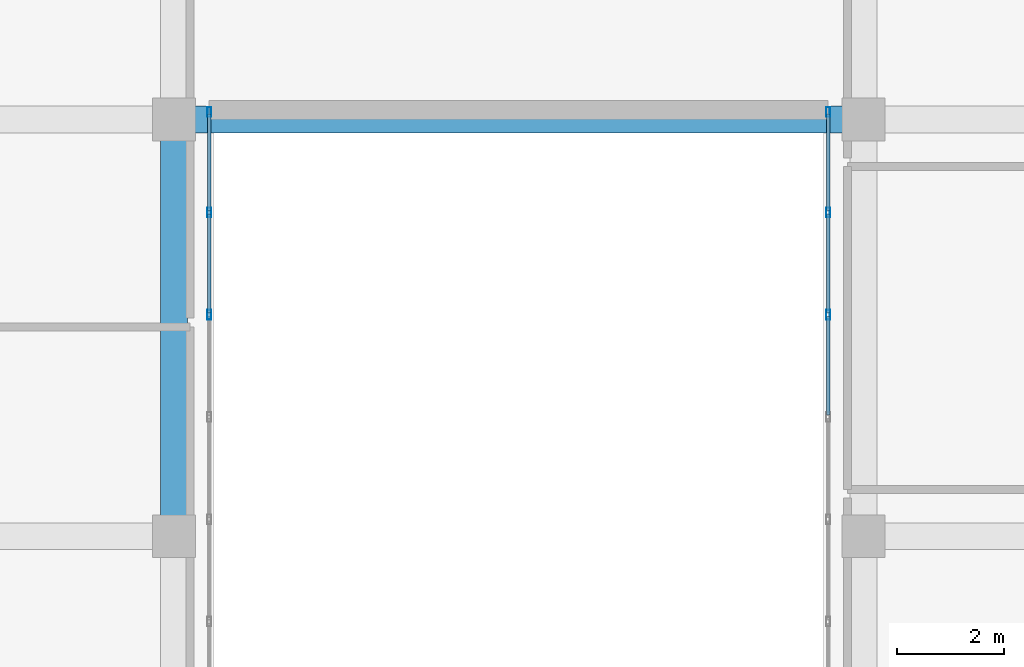
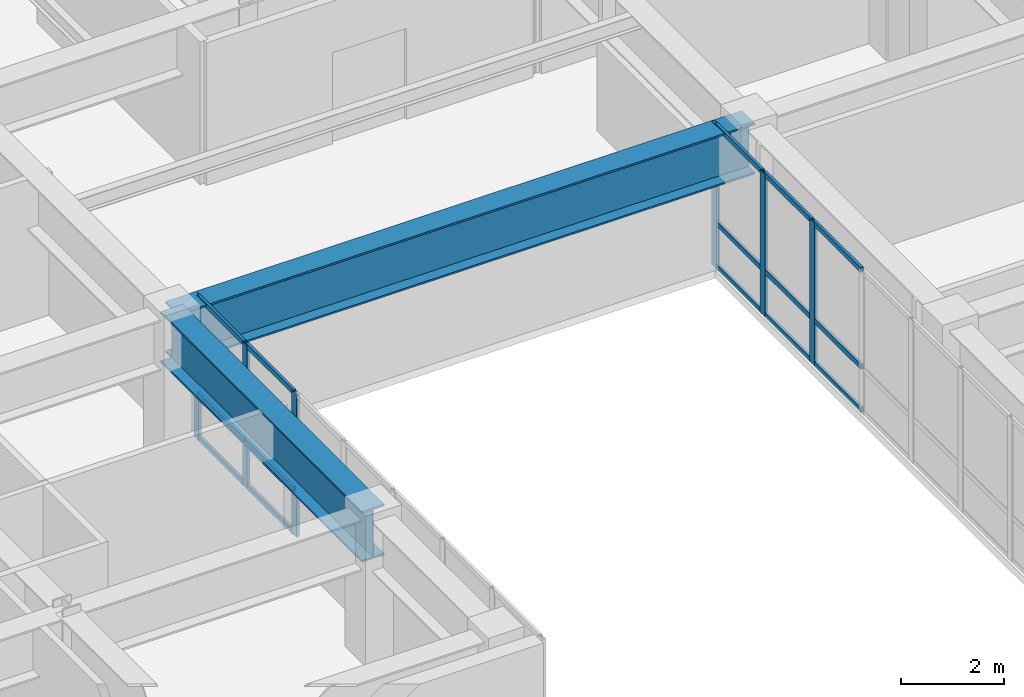
# One storey, part 4 of 14: 21 members, 2 beams, 2 elements without a shape of their own.
"""IFC4 building model written with IfcOpenShell, lengths in metres."""

from ifc_helpers import new_model, si_unit, direction, frame, origin, origin_2d, place, context, subcontext, project, spatial, hollow_rectangle, i_section, extrude, source, transform, mapped, material, layer, layer_set, material_profile, profile_set, type_object, type_shapes, element, aggregate, save


model = new_model("IFC4")

# Units and contexts
model_context = context("Model", 3, precision=1e-05, world=origin(), true_north=direction((0.0, 1.0)))
body_context = subcontext(model_context, "Body", "Model", "MODEL_VIEW")
ifc_project = project(units=[si_unit("LENGTHUNIT", "METRE"), si_unit("AREAUNIT", "SQUARE_METRE"), si_unit("VOLUMEUNIT", "CUBIC_METRE"), si_unit("PLANEANGLEUNIT", "RADIAN"), si_unit("MASSUNIT", "GRAM", prefix="KILO")], contexts=[model_context])

# Site, building, storey
site_placement = place(None, origin())
site = spatial("IfcSite", under=ifc_project, at=site_placement, CompositionType="ELEMENT")
building_placement = place(site_placement, origin())
building = spatial("IfcBuilding", under=site, at=building_placement, Name="Tolvann Quenvar Hotel", CompositionType="ELEMENT")
storey_placement = place(building_placement, frame((0.0, 0.0, 150.60009765625)))
storey = spatial("IfcBuildingStorey", under=building, at=storey_placement, Name="L39", CompositionType="ELEMENT", Elevation=150.60009765625)

# Beams
ifc_material_1 = material(Name="Steel Grade 350", Category="steel")
ifc_material_profile_1 = material_profile(ifc_material_1, i_section(OverallWidth=0.5, OverallDepth=1.199951171875, WebThickness=0.01611328125, FlangeThickness=0.0400390625, at=origin_2d()), Name="1200WB455")
ifc_profile_set_1 = profile_set([ifc_material_profile_1], Name="Steel Grade 350")
beam_type = type_object("IfcBeamType", Name="BM_TG_1200WB455", PredefinedType="USERDEFINED", material=ifc_profile_set_1)
shared_shape_1 = source(origin(), body_context, "Body", "SweptSolid", [
    extrude(i_section(OverallWidth=0.5, OverallDepth=1.199951171875, WebThickness=0.01611328125, FlangeThickness=0.0400390625, at=origin_2d()), origin(), (0.0, 0.0, 1.0), 7.800048828125),
])
beam_1_placement = place(storey_placement, frame((22.050048828125, 8.199951171875, 2.77001953125), z_axis=(0.0, 1.0, 0.0), x_axis=(-1.0, 0.0, 0.0)))
element("IfcBeam", 1, at=beam_1_placement, inside=storey, type_object=beam_type, Name="BM-L39-NS-E3-E4", ObjectType="TRANSFER GIRDER", PredefinedType="USERDEFINED", context=body_context, shape_type="MappedRepresentation", body=[
    mapped(shared_shape_1, transform((0.0, 0.0, 0.0), x_axis=(1.0, 0.0, 0.0), y_axis=(0.0, 1.0, 0.0), z_axis=(0.0, 0.0, 1.0), scale=1.0)),
])
shared_shape_2 = source(origin(), body_context, "Body", "SweptSolid", [
    extrude(i_section(OverallWidth=0.5, OverallDepth=1.199951171875, WebThickness=0.01611328125, FlangeThickness=0.0400390625, at=origin_2d()), origin(), (0.0, 0.0, 1.0), 12.89990234375),
])
type_shapes(beam_type, [shared_shape_1, shared_shape_2])
beam_2_placement = place(storey_placement, frame((22.050048828125, 16.0, 2.77001953125), z_axis=(1.0, 0.0, 0.0), x_axis=(0.0, 1.0, 0.0)))
element("IfcBeam", 2, at=beam_2_placement, inside=storey, type_object=beam_type, Name="BM-L39-EW-4-E4-F4", ObjectType="TRANSFER GIRDER", PredefinedType="USERDEFINED", context=body_context, shape_type="MappedRepresentation", body=[
    mapped(shared_shape_2, transform((0.0, 0.0, 0.0), x_axis=(1.0, 0.0, 0.0), y_axis=(0.0, 1.0, 0.0), z_axis=(0.0, 0.0, 1.0), scale=1.0)),
])

# Curtain wall, members
ifc_material_2 = material(Name="Thermally broken anodised architectural aluminium 6063-T6 and laminated low-E glass", Category="aluminium")
ifc_layer = layer(ifc_material_2, 0.179931640625)
ifc_layer_set = layer_set([ifc_layer], Name="Thermally broken anodised architectural aluminium 6063-T6 and laminated low-E glass")
curtain_wall_type = type_object("IfcCurtainWallType", Name="CW_SYS_SLOT_03", PredefinedType="USERDEFINED", material=ifc_layer_set)
curtain_wall_1_placement = place(storey_placement, origin())
curtain_wall_1 = element("IfcCurtainWall", 3, at=curtain_wall_1_placement, inside=storey, type_object=curtain_wall_type, Name="Curtain Wall CW-SLOT-03 (CWR-L39-E05)", ObjectType="UNITISED CURTAIN WALL", PredefinedType="USERDEFINED")
ifc_material_3 = material(Name="Anodised architectural aluminium 6063-T6 framing", Category="aluminium")
ifc_material_profile_2 = material_profile(ifc_material_3, hollow_rectangle(XDim=0.070068359375, YDim=0.179931640625, WallThickness=0.00390625, at=origin_2d()), Name="180x70x4RHS")
ifc_profile_set_2 = profile_set([ifc_material_profile_2], Name="Anodised architectural aluminium 6063-T6 framing")
member_type_1 = type_object("IfcMemberType", Name="CW_MULL_180x70", PredefinedType="MULLION", material=ifc_profile_set_2)
shared_shape_3 = source(origin(), body_context, "Body", "SweptSolid", [
    extrude(hollow_rectangle(XDim=0.070068359375, YDim=0.179931640625, WallThickness=0.00390625, at=origin_2d()), origin(), (0.0, 0.0, 1.0), 3.369873046875),
])
type_shapes(member_type_1, [shared_shape_3])
member_1_placement = place(storey_placement, frame((22.7099609375, 12.346435546875, 0.0), z_axis=(0.0, 0.0, 1.0), x_axis=(-1.0, 0.0, 0.0)))
member_1 = element("IfcMember", 4, at=member_1_placement, type_object=member_type_1, Name="CW-SLOT-03 mullion 6", PredefinedType="MULLION", context=body_context, shape_type="MappedRepresentation", body=[
    mapped(shared_shape_3, transform((0.0, 0.0, 0.0), x_axis=(1.0, 0.0, 0.0), y_axis=(0.0, 1.0, 0.0), z_axis=(0.0, 0.0, 1.0), scale=1.0)),
])
member_2_placement = place(storey_placement, frame((22.7099609375, 14.2607421875, 0.0), z_axis=(0.0, 0.0, 1.0), x_axis=(-1.0, 0.0, 0.0)))
member_2 = element("IfcMember", 5, at=member_2_placement, type_object=member_type_1, Name="CW-SLOT-03 mullion 7", PredefinedType="MULLION", context=body_context, shape_type="MappedRepresentation", body=[
    mapped(shared_shape_3, transform((0.0, 0.0, 0.0), x_axis=(1.0, 0.0, 0.0), y_axis=(0.0, 1.0, 0.0), z_axis=(0.0, 0.0, 1.0), scale=1.0)),
])
member_3_placement = place(storey_placement, frame((22.7099609375, 16.139892578125, 0.0), z_axis=(0.0, 0.0, 1.0), x_axis=(-1.0, 0.0, 0.0)))
member_3 = element("IfcMember", 6, at=member_3_placement, type_object=member_type_1, Name="CW-SLOT-03 mullion 8", PredefinedType="MULLION", context=body_context, shape_type="MappedRepresentation", body=[
    mapped(shared_shape_3, transform((0.0, 0.0, 0.0), x_axis=(1.0, 0.0, 0.0), y_axis=(0.0, 1.0, 0.0), z_axis=(0.0, 0.0, 1.0), scale=1.0)),
])

curtain_wall_2_placement = place(storey_placement, origin())
curtain_wall_2 = element("IfcCurtainWall", 7, at=curtain_wall_2_placement, inside=storey, type_object=curtain_wall_type, Name="Curtain Wall CW-SLOT-03 (CWR-L39-E07)", ObjectType="UNITISED CURTAIN WALL", PredefinedType="USERDEFINED")
member_4_placement = place(storey_placement, frame((34.2900390625, 16.139892578125, 0.0), z_axis=(0.0, 0.0, 1.0), x_axis=(1.0, 0.0, 0.0)))
member_4 = element("IfcMember", 8, at=member_4_placement, type_object=member_type_1, Name="CW-SLOT-03 mullion 1", PredefinedType="MULLION", context=body_context, shape_type="MappedRepresentation", body=[
    mapped(shared_shape_3, transform((0.0, 0.0, 0.0), x_axis=(1.0, 0.0, 0.0), y_axis=(0.0, 1.0, 0.0), z_axis=(0.0, 0.0, 1.0), scale=1.0)),
])
member_5_placement = place(storey_placement, frame((34.2900390625, 14.2607421875, 0.0), z_axis=(0.0, 0.0, 1.0), x_axis=(1.0, 0.0, 0.0)))
member_5 = element("IfcMember", 9, at=member_5_placement, type_object=member_type_1, Name="CW-SLOT-03 mullion 2", PredefinedType="MULLION", context=body_context, shape_type="MappedRepresentation", body=[
    mapped(shared_shape_3, transform((0.0, 0.0, 0.0), x_axis=(1.0, 0.0, 0.0), y_axis=(0.0, 1.0, 0.0), z_axis=(0.0, 0.0, 1.0), scale=1.0)),
])
member_6_placement = place(storey_placement, frame((34.2900390625, 12.346435546875, 0.0), z_axis=(0.0, 0.0, 1.0), x_axis=(1.0, 0.0, 0.0)))
member_6 = element("IfcMember", 10, at=member_6_placement, type_object=member_type_1, Name="CW-SLOT-03 mullion 3", PredefinedType="MULLION", context=body_context, shape_type="MappedRepresentation", body=[
    mapped(shared_shape_3, transform((0.0, 0.0, 0.0), x_axis=(1.0, 0.0, 0.0), y_axis=(0.0, 1.0, 0.0), z_axis=(0.0, 0.0, 1.0), scale=1.0)),
])

# Member
ifc_material_profile_3 = material_profile(ifc_material_3, hollow_rectangle(XDim=0.06005859375, YDim=0.1201171875, WallThickness=0.00341796875, at=origin_2d()), Name="120x60x3.5RHS")
ifc_profile_set_3 = profile_set([ifc_material_profile_3], Name="Anodised architectural aluminium 6063-T6 framing")
member_type_2 = type_object("IfcMemberType", Name="CW_TRAN_120x60", PredefinedType="USERDEFINED", material=ifc_profile_set_3)
shared_shape_4 = source(origin(), body_context, "Body", "SweptSolid", [
    extrude(hollow_rectangle(XDim=0.06005859375, YDim=0.1201171875, WallThickness=0.00341796875, at=origin_2d()), origin(), (0.0, 0.0, 1.0), 1.809326171875),
])
member_7_placement = place(storey_placement, frame((22.7099609375, 14.295654296875, 0.02978515625), z_axis=(0.0, 1.0, 0.0), x_axis=(-1.0, 0.0, 0.0)))
member_7 = element("IfcMember", 11, at=member_7_placement, type_object=member_type_2, Name="CW-SLOT-03 transom 7.1", ObjectType="TRANSOM", PredefinedType="USERDEFINED", context=body_context, shape_type="MappedRepresentation", body=[
    mapped(shared_shape_4, transform((0.0, 0.0, 0.0), x_axis=(1.0, 0.0, 0.0), y_axis=(0.0, 1.0, 0.0), z_axis=(0.0, 0.0, 1.0), scale=1.0)),
])

member_8_placement = place(storey_placement, frame((22.7099609375, 14.295654296875, 1.0498046875), z_axis=(0.0, 1.0, 0.0), x_axis=(-1.0, 0.0, 0.0)))
member_8 = element("IfcMember", 12, at=member_8_placement, type_object=member_type_2, Name="CW-SLOT-03 transom 7.2", ObjectType="TRANSOM", PredefinedType="USERDEFINED", context=body_context, shape_type="MappedRepresentation", body=[
    mapped(shared_shape_4, transform((0.0, 0.0, 0.0), x_axis=(1.0, 0.0, 0.0), y_axis=(0.0, 1.0, 0.0), z_axis=(0.0, 0.0, 1.0), scale=1.0)),
])

member_9_placement = place(storey_placement, frame((22.7099609375, 14.295654296875, 3.33984375), z_axis=(0.0, 1.0, 0.0), x_axis=(-1.0, 0.0, 0.0)))
member_9 = element("IfcMember", 13, at=member_9_placement, type_object=member_type_2, Name="CW-SLOT-03 transom 7.3", ObjectType="TRANSOM", PredefinedType="USERDEFINED", context=body_context, shape_type="MappedRepresentation", body=[
    mapped(shared_shape_4, transform((0.0, 0.0, 0.0), x_axis=(1.0, 0.0, 0.0), y_axis=(0.0, 1.0, 0.0), z_axis=(0.0, 0.0, 1.0), scale=1.0)),
])

member_10_placement = place(storey_placement, frame((34.2900390625, 16.10498046875, 0.02978515625), z_axis=(0.0, -1.0, 0.0), x_axis=(1.0, 0.0, 0.0)))
member_10 = element("IfcMember", 14, at=member_10_placement, type_object=member_type_2, Name="CW-SLOT-03 transom 1.1", ObjectType="TRANSOM", PredefinedType="USERDEFINED", context=body_context, shape_type="MappedRepresentation", body=[
    mapped(shared_shape_4, transform((0.0, 0.0, 0.0), x_axis=(1.0, 0.0, 0.0), y_axis=(0.0, 1.0, 0.0), z_axis=(0.0, 0.0, 1.0), scale=1.0)),
])

member_11_placement = place(storey_placement, frame((34.2900390625, 16.10498046875, 1.0498046875), z_axis=(0.0, -1.0, 0.0), x_axis=(1.0, 0.0, 0.0)))
member_11 = element("IfcMember", 15, at=member_11_placement, type_object=member_type_2, Name="CW-SLOT-03 transom 1.2", ObjectType="TRANSOM", PredefinedType="USERDEFINED", context=body_context, shape_type="MappedRepresentation", body=[
    mapped(shared_shape_4, transform((0.0, 0.0, 0.0), x_axis=(1.0, 0.0, 0.0), y_axis=(0.0, 1.0, 0.0), z_axis=(0.0, 0.0, 1.0), scale=1.0)),
])

member_12_placement = place(storey_placement, frame((34.2900390625, 16.10498046875, 3.33984375), z_axis=(0.0, -1.0, 0.0), x_axis=(1.0, 0.0, 0.0)))
member_12 = element("IfcMember", 16, at=member_12_placement, type_object=member_type_2, Name="CW-SLOT-03 transom 1.3", ObjectType="TRANSOM", PredefinedType="USERDEFINED", context=body_context, shape_type="MappedRepresentation", body=[
    mapped(shared_shape_4, transform((0.0, 0.0, 0.0), x_axis=(1.0, 0.0, 0.0), y_axis=(0.0, 1.0, 0.0), z_axis=(0.0, 0.0, 1.0), scale=1.0)),
])

shared_shape_5 = source(origin(), body_context, "Body", "SweptSolid", [
    extrude(hollow_rectangle(XDim=0.06005859375, YDim=0.1201171875, WallThickness=0.00341796875, at=origin_2d()), origin(), (0.0, 0.0, 1.0), 1.844482421875),
])
type_shapes(member_type_2, [shared_shape_4, shared_shape_5])
member_13_placement = place(storey_placement, frame((22.7099609375, 12.38134765625, 0.02978515625), z_axis=(0.0, 1.0, 0.0), x_axis=(-1.0, 0.0, 0.0)))
member_13 = element("IfcMember", 17, at=member_13_placement, type_object=member_type_2, Name="CW-SLOT-03 transom 6.1", ObjectType="TRANSOM", PredefinedType="USERDEFINED", context=body_context, shape_type="MappedRepresentation", body=[
    mapped(shared_shape_5, transform((0.0, 0.0, 0.0), x_axis=(1.0, 0.0, 0.0), y_axis=(0.0, 1.0, 0.0), z_axis=(0.0, 0.0, 1.0), scale=1.0)),
])

member_14_placement = place(storey_placement, frame((22.7099609375, 12.38134765625, 1.0498046875), z_axis=(0.0, 1.0, 0.0), x_axis=(-1.0, 0.0, 0.0)))
member_14 = element("IfcMember", 18, at=member_14_placement, type_object=member_type_2, Name="CW-SLOT-03 transom 6.2", ObjectType="TRANSOM", PredefinedType="USERDEFINED", context=body_context, shape_type="MappedRepresentation", body=[
    mapped(shared_shape_5, transform((0.0, 0.0, 0.0), x_axis=(1.0, 0.0, 0.0), y_axis=(0.0, 1.0, 0.0), z_axis=(0.0, 0.0, 1.0), scale=1.0)),
])

member_15_placement = place(storey_placement, frame((22.7099609375, 12.38134765625, 3.33984375), z_axis=(0.0, 1.0, 0.0), x_axis=(-1.0, 0.0, 0.0)))
member_15 = element("IfcMember", 19, at=member_15_placement, type_object=member_type_2, Name="CW-SLOT-03 transom 6.3", ObjectType="TRANSOM", PredefinedType="USERDEFINED", context=body_context, shape_type="MappedRepresentation", body=[
    mapped(shared_shape_5, transform((0.0, 0.0, 0.0), x_axis=(1.0, 0.0, 0.0), y_axis=(0.0, 1.0, 0.0), z_axis=(0.0, 0.0, 1.0), scale=1.0)),
])

aggregate(curtain_wall_1, [member_1, member_2, member_3, member_13, member_14, member_15, member_7, member_8, member_9])

member_16_placement = place(storey_placement, frame((34.2900390625, 14.225830078125, 0.02978515625), z_axis=(0.0, -1.0, 0.0), x_axis=(1.0, 0.0, 0.0)))
member_16 = element("IfcMember", 20, at=member_16_placement, type_object=member_type_2, Name="CW-SLOT-03 transom 2.1", ObjectType="TRANSOM", PredefinedType="USERDEFINED", context=body_context, shape_type="MappedRepresentation", body=[
    mapped(shared_shape_5, transform((0.0, 0.0, 0.0), x_axis=(1.0, 0.0, 0.0), y_axis=(0.0, 1.0, 0.0), z_axis=(0.0, 0.0, 1.0), scale=1.0)),
])

member_17_placement = place(storey_placement, frame((34.2900390625, 14.225830078125, 1.0498046875), z_axis=(0.0, -1.0, 0.0), x_axis=(1.0, 0.0, 0.0)))
member_17 = element("IfcMember", 21, at=member_17_placement, type_object=member_type_2, Name="CW-SLOT-03 transom 2.2", ObjectType="TRANSOM", PredefinedType="USERDEFINED", context=body_context, shape_type="MappedRepresentation", body=[
    mapped(shared_shape_5, transform((0.0, 0.0, 0.0), x_axis=(1.0, 0.0, 0.0), y_axis=(0.0, 1.0, 0.0), z_axis=(0.0, 0.0, 1.0), scale=1.0)),
])

member_18_placement = place(storey_placement, frame((34.2900390625, 14.225830078125, 3.33984375), z_axis=(0.0, -1.0, 0.0), x_axis=(1.0, 0.0, 0.0)))
member_18 = element("IfcMember", 22, at=member_18_placement, type_object=member_type_2, Name="CW-SLOT-03 transom 2.3", ObjectType="TRANSOM", PredefinedType="USERDEFINED", context=body_context, shape_type="MappedRepresentation", body=[
    mapped(shared_shape_5, transform((0.0, 0.0, 0.0), x_axis=(1.0, 0.0, 0.0), y_axis=(0.0, 1.0, 0.0), z_axis=(0.0, 0.0, 1.0), scale=1.0)),
])

member_19_placement = place(storey_placement, frame((34.2900390625, 12.3115234375, 0.02978515625), z_axis=(0.0, -1.0, 0.0), x_axis=(1.0, 0.0, 0.0)))
member_19 = element("IfcMember", 23, at=member_19_placement, type_object=member_type_2, Name="CW-SLOT-03 transom 3.1", ObjectType="TRANSOM", PredefinedType="USERDEFINED", context=body_context, shape_type="MappedRepresentation", body=[
    mapped(shared_shape_5, transform((0.0, 0.0, 0.0), x_axis=(1.0, 0.0, 0.0), y_axis=(0.0, 1.0, 0.0), z_axis=(0.0, 0.0, 1.0), scale=1.0)),
])

member_20_placement = place(storey_placement, frame((34.2900390625, 12.3115234375, 1.0498046875), z_axis=(0.0, -1.0, 0.0), x_axis=(1.0, 0.0, 0.0)))
member_20 = element("IfcMember", 24, at=member_20_placement, type_object=member_type_2, Name="CW-SLOT-03 transom 3.2", ObjectType="TRANSOM", PredefinedType="USERDEFINED", context=body_context, shape_type="MappedRepresentation", body=[
    mapped(shared_shape_5, transform((0.0, 0.0, 0.0), x_axis=(1.0, 0.0, 0.0), y_axis=(0.0, 1.0, 0.0), z_axis=(0.0, 0.0, 1.0), scale=1.0)),
])

member_21_placement = place(storey_placement, frame((34.2900390625, 12.3115234375, 3.33984375), z_axis=(0.0, -1.0, 0.0), x_axis=(1.0, 0.0, 0.0)))
member_21 = element("IfcMember", 25, at=member_21_placement, type_object=member_type_2, Name="CW-SLOT-03 transom 3.3", ObjectType="TRANSOM", PredefinedType="USERDEFINED", context=body_context, shape_type="MappedRepresentation", body=[
    mapped(shared_shape_5, transform((0.0, 0.0, 0.0), x_axis=(1.0, 0.0, 0.0), y_axis=(0.0, 1.0, 0.0), z_axis=(0.0, 0.0, 1.0), scale=1.0)),
])

aggregate(curtain_wall_2, [member_4, member_5, member_6, member_10, member_11, member_12, member_16, member_17, member_18, member_19, member_20, member_21])

save(model, "model.ifc")
